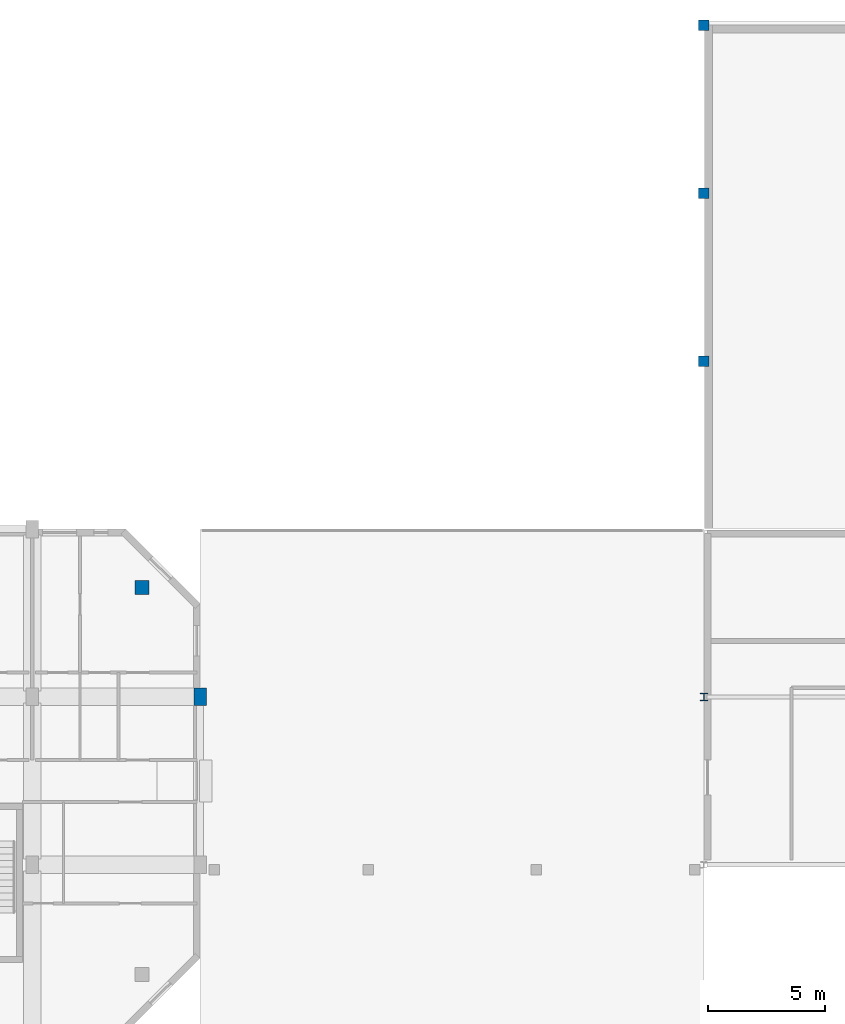
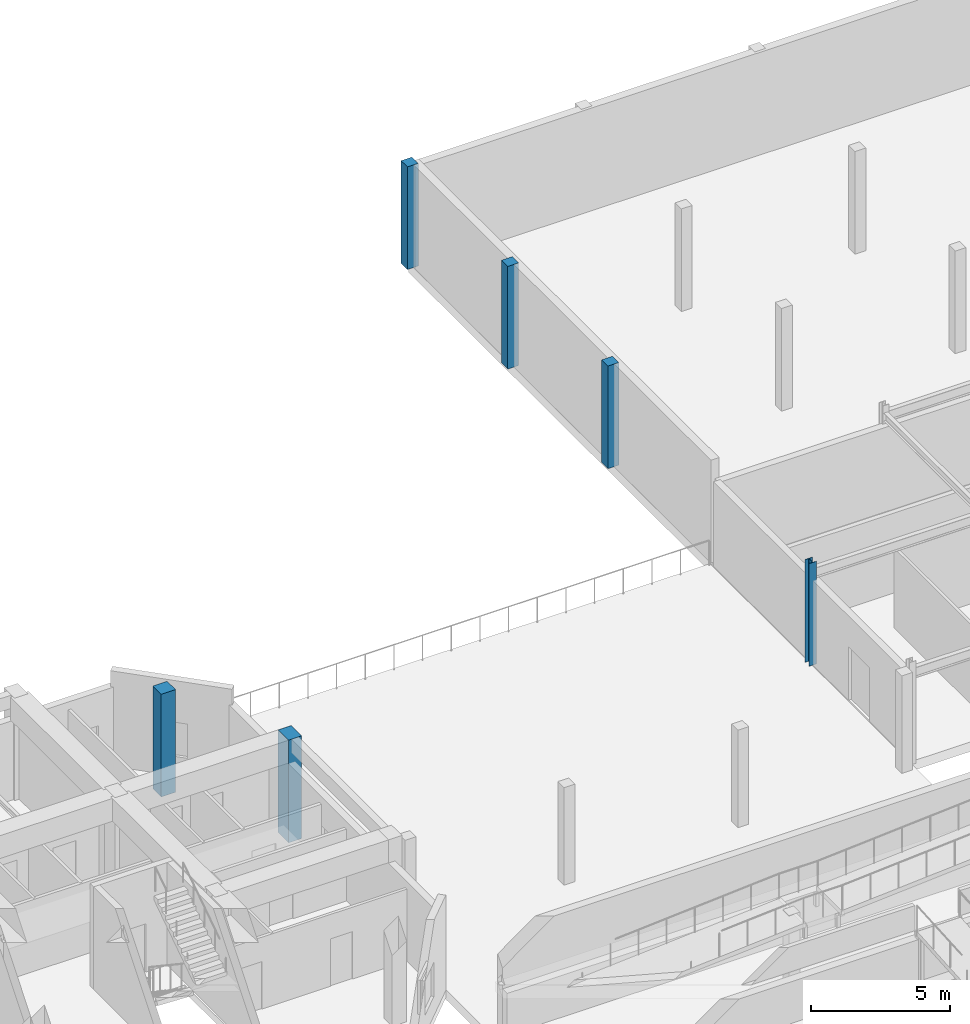
# One storey, part 14 of 85: 6 columns.
"""IFC4 building model written with IfcOpenShell, lengths in metres."""

from ifc_helpers import new_model, si_unit, direction, frame, origin, origin_2d, place, context, subcontext, project, spatial, rectangle, i_section, extrude, material, material_profile, profile_set, type_object, element, save


model = new_model("IFC4")

# Units and contexts
model_context = context("Model", 3, precision=1e-05, world=origin(), true_north=direction((0.0, 1.0)))
body_context = subcontext(model_context, "Body", "Model", "MODEL_VIEW")
ifc_project = project(units=[si_unit("LENGTHUNIT", "METRE"), si_unit("AREAUNIT", "SQUARE_METRE"), si_unit("VOLUMEUNIT", "CUBIC_METRE"), si_unit("PLANEANGLEUNIT", "RADIAN"), si_unit("MASSUNIT", "GRAM", prefix="KILO")], contexts=[model_context])

# Site, building, storey
site_placement = place(None, origin())
site = spatial("IfcSite", under=ifc_project, at=site_placement, CompositionType="ELEMENT")
building_placement = place(site_placement, origin())
building = spatial("IfcBuilding", under=site, at=building_placement, Name="Ochrevale Crest", CompositionType="ELEMENT")
storey_placement = place(building_placement, origin())
storey = spatial("IfcBuildingStorey", under=building, at=storey_placement, Name="L00", CompositionType="ELEMENT", Elevation=0.0)

# Columns
ifc_material_1 = material(Name="Precast concrete C40/50", Category="concrete")
ifc_material_profile_1 = material_profile(ifc_material_1, rectangle(XDim=0.449951171875, YDim=0.449951171875, at=origin_2d()), Name="RC 450x450")
ifc_profile_set_1 = profile_set([ifc_material_profile_1], Name="Precast concrete C40/50")
column_type_1 = type_object("IfcColumnType", Name="COL-RC450x450", PredefinedType="COLUMN", material=ifc_profile_set_1)
for number, where, z_axis, x_axis, name in (
    (1, (57.60009765625, 100.800048828125, 0.0), (0.0, 0.0, 1.0), (1.0, 0.0, 0.0), "Play court plinth column (57.6,100.8)"),
    (2, (57.60009765625, 108.0, 0.0), (0.0, 0.0, 1.0), (1.0, 0.0, 0.0), "Play court plinth column (57.6,108.0)"),
    (3, (57.60009765625, 115.199951171875, 0.0), (0.0, 0.0, 1.0), (1.0, 0.0, 0.0), "Play court plinth column (57.6,115.2)"),
):
    element("IfcColumn", number, at=place(storey_placement, frame(where, z_axis=z_axis, x_axis=x_axis)), inside=storey, type_object=column_type_1, Name=name, PredefinedType="COLUMN", context=body_context, shape_type="SweptSolid", body=[
        extrude(rectangle(XDim=0.449951171875, YDim=0.449951171875, at=origin_2d()), origin(), (0.0, 0.0, 1.0), 4.5),
    ])
ifc_material_2 = material(Name="Precast concrete C50/60", Category="concrete")
ifc_material_profile_2 = material_profile(ifc_material_2, rectangle(XDim=0.550048828125, YDim=0.75, at=origin_2d()), Name="RC 550x750")
ifc_profile_set_2 = profile_set([ifc_material_profile_2], Name="Precast concrete C50/60")
column_type_2 = type_object("IfcColumnType", Name="COL-RC550x750", PredefinedType="COLUMN", material=ifc_profile_set_2)
column_1_placement = place(storey_placement, frame((36.0, 86.39990234375, 0.0), z_axis=(0.0, 0.0, 1.0), x_axis=(1.0, 0.0, 0.0)))
element("IfcColumn", 4, at=column_1_placement, inside=storey, type_object=column_type_2, Name="Block B L00 column (36.0,86.4)", PredefinedType="COLUMN", context=body_context, shape_type="SweptSolid", body=[
    extrude(rectangle(XDim=0.550048828125, YDim=0.75, at=origin_2d()), origin(), (0.0, 0.0, 1.0), 4.5),
])
ifc_material_profile_3 = material_profile(ifc_material_2, rectangle(XDim=0.60009765625, YDim=0.60009765625, at=origin_2d()), Name="RC 600x600")
ifc_profile_set_3 = profile_set([ifc_material_profile_3], Name="Precast concrete C50/60")
column_type_3 = type_object("IfcColumnType", Name="COL-RC600x600", PredefinedType="COLUMN", material=ifc_profile_set_3)
column_2_placement = place(storey_placement, frame((33.5, 91.10009765625, 0.0), z_axis=(0.0, 0.0, 1.0), x_axis=(1.0, 0.0, 0.0)))
element("IfcColumn", 5, at=column_2_placement, inside=storey, type_object=column_type_3, Name="Block B L00 column (33.5,91.1)", PredefinedType="COLUMN", context=body_context, shape_type="SweptSolid", body=[
    extrude(rectangle(XDim=0.60009765625, YDim=0.60009765625, at=origin_2d()), origin(), (0.0, 0.0, 1.0), 4.5),
])
ifc_material_3 = material(Name="Steel S355", Category="steel")
ifc_material_profile_4 = material_profile(ifc_material_3, i_section(OverallWidth=0.3046875, OverallDepth=0.307861328125, WebThickness=0.010009765625, FlangeThickness=0.015380859375, FilletRadius=0.0166015625, at=origin_2d()), Name="310UC96.8")
ifc_profile_set_4 = profile_set([ifc_material_profile_4], Name="Steel S355")
column_type_4 = type_object("IfcColumnType", Name="COL-UC310A", PredefinedType="COLUMN", material=ifc_profile_set_4)
column_3_placement = place(storey_placement, frame((57.60009765625, 86.39990234375, 0.0), z_axis=(0.0, 0.0, 1.0), x_axis=(1.0, 0.0, 0.0)))
element("IfcColumn", 6, at=column_3_placement, inside=storey, type_object=column_type_4, Name="Nursery L00 steel column (57.6,86.4)", PredefinedType="COLUMN", context=body_context, shape_type="SweptSolid", body=[
    extrude(i_section(OverallWidth=0.3046875, OverallDepth=0.307861328125, WebThickness=0.010009765625, FlangeThickness=0.015380859375, FilletRadius=0.0166015625, at=origin_2d()), origin(), (0.0, 0.0, 1.0), 4.5),
])

save(model, "model.ifc")
